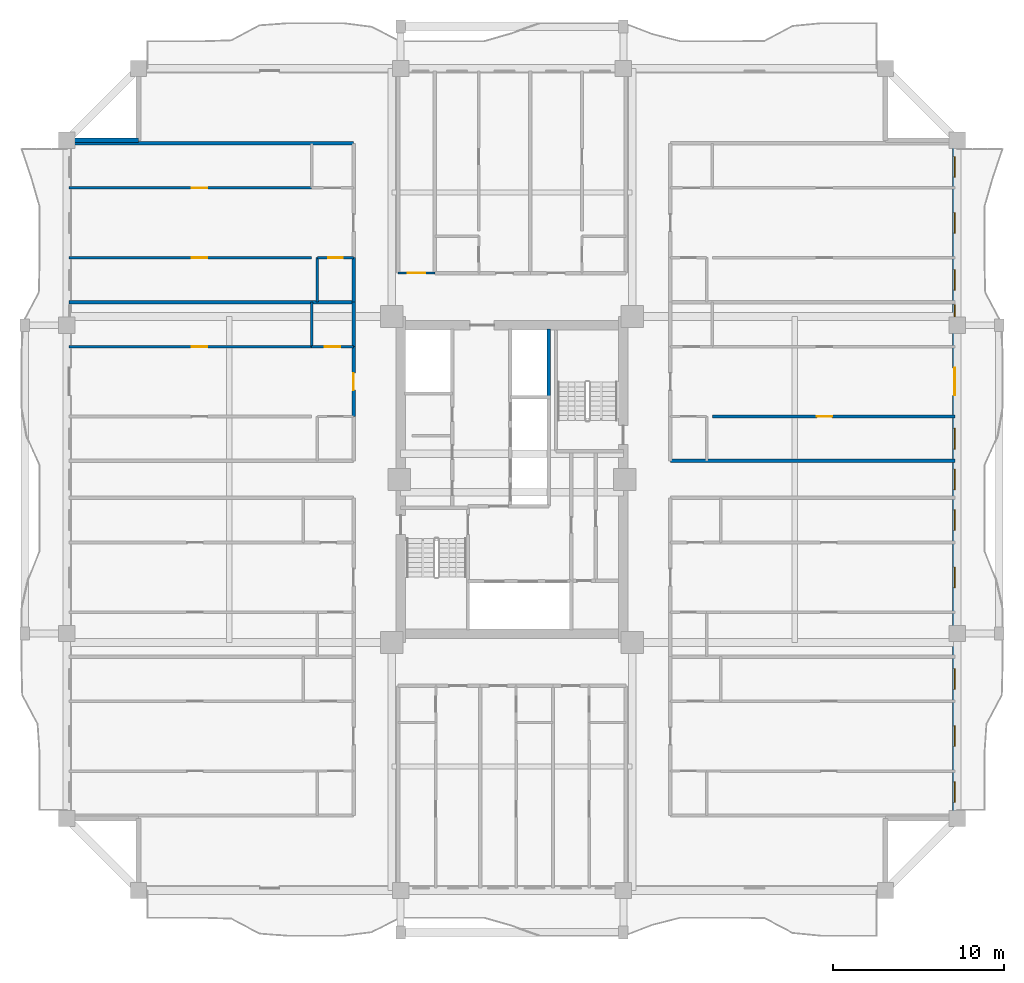
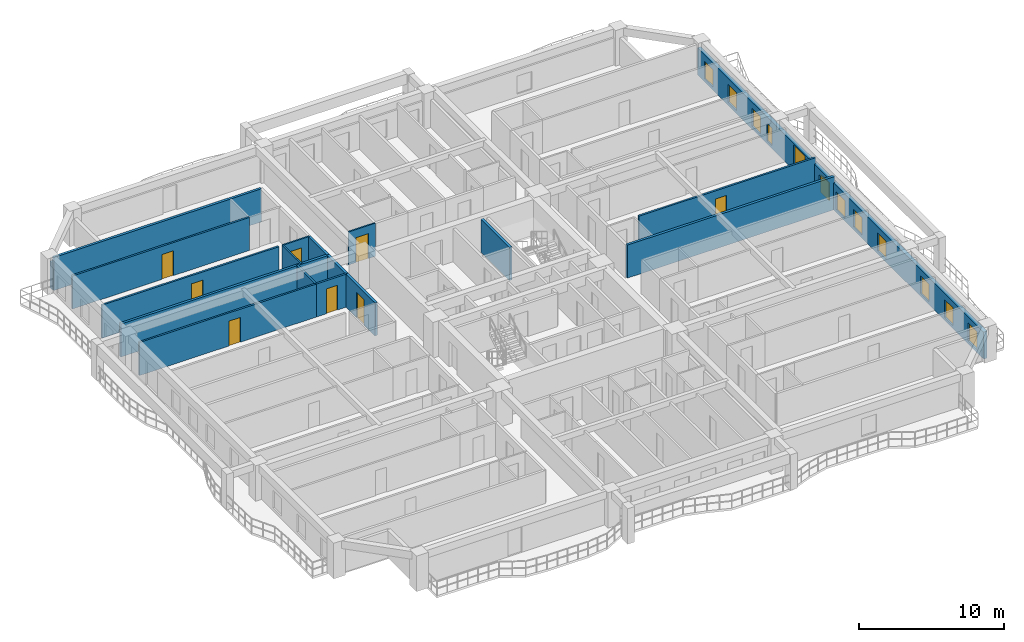
# One storey, part 6 of 13: 18 walls, 11 windows, 9 doors, 20 openings.
"""IFC4 building model written with IfcOpenShell, lengths in metres."""

from ifc_helpers import new_model, si_unit, direction, frame, frame_2d, origin, place, context, subcontext, project, spatial, rectangle, extrude, source, transform, mapped, material, layer, layer_set, type_object, element, fill, save


model = new_model("IFC4")

# Units and contexts
model_context = context("Model", 3, precision=1e-05, world=origin(), true_north=direction((0.0, 1.0)))
body_context = subcontext(model_context, "Body", "Model", "MODEL_VIEW")
ifc_project = project(units=[si_unit("LENGTHUNIT", "METRE"), si_unit("AREAUNIT", "SQUARE_METRE"), si_unit("VOLUMEUNIT", "CUBIC_METRE"), si_unit("PLANEANGLEUNIT", "RADIAN"), si_unit("MASSUNIT", "GRAM", prefix="KILO")], contexts=[model_context])

# Site, building, storey
site_placement = place(None, origin())
site = spatial("IfcSite", under=ifc_project, at=site_placement, CompositionType="ELEMENT")
building_placement = place(site_placement, origin())
building = spatial("IfcBuilding", under=site, at=building_placement, Name="Saelheon Loggia Tower", CompositionType="ELEMENT")
storey_placement = place(building_placement, frame((0.0, 0.0, 104.85009765625)))
storey = spatial("IfcBuildingStorey", under=building, at=storey_placement, Name="L33", CompositionType="ELEMENT", Elevation=104.85009765625)

# Wall, openings, windows, door
ifc_material_1 = material(Name="Architectural Precast Concrete C40/50", Category="concrete")
ifc_layer_1 = layer(ifc_material_1, 0.280029296875)
ifc_layer_set_1 = layer_set([ifc_layer_1], Name="Architectural Precast Concrete C40/50")
wall_type_1 = type_object("IfcWallType", Name="Wall_Ext_Loggia_280", PredefinedType="SOLIDWALL", material=ifc_layer_set_1)
wall_1_placement = place(storey_placement, frame((63.860107421875, 7.199951171875, 0.0), z_axis=(0.0, 0.0, 1.0), x_axis=(0.0, 1.0, 0.0)))
wall_1 = element("IfcWall", 1, at=wall_1_placement, inside=storey, type_object=wall_type_1, Name="L33 East Loggia Inner Wall", PredefinedType="SOLIDWALL", context=body_context, shape_type="SweptSolid", body=[
    extrude(rectangle(XDim=39.60009765625, YDim=0.280029296875, at=frame_2d((19.800048828125, 0.0))), origin(), (0.0, 0.0, 1.0), 2.27978515625),
])
opening_1_placement = place(wall_1_placement, frame((0.9453125, 0.0, 0.25)))
opening_1 = element("IfcOpeningElement", 2, at=opening_1_placement, cuts=wall_1, Name="Opening WN-03", PredefinedType="OPENING", context=body_context, shape_type="SweptSolid", body=[
    extrude(rectangle(XDim=1.199951171875, YDim=1.5, at=frame_2d((0.60009765625, 0.75))), frame((0.0, 0.152099609375, 0.0), z_axis=(0.0, -1.0, 0.0), x_axis=(1.0, 0.0, 0.0)), (0.0, 0.0, 1.0), 0.303955078125),
])
opening_2_placement = place(wall_1_placement, frame((4.212890625, 0.0, 0.25)))
opening_2 = element("IfcOpeningElement", 3, at=opening_2_placement, cuts=wall_1, Name="Opening WN-03", PredefinedType="OPENING", context=body_context, shape_type="SweptSolid", body=[
    extrude(rectangle(XDim=1.199951171875, YDim=1.5, at=frame_2d((0.60009765625, 0.75))), frame((0.0, 0.152099609375, 0.0), z_axis=(0.0, -1.0, 0.0), x_axis=(1.0, 0.0, 0.0)), (0.0, 0.0, 1.0), 0.303955078125),
])
opening_3_placement = place(wall_1_placement, frame((7.550048828125, 0.0, 0.25)))
opening_3 = element("IfcOpeningElement", 4, at=opening_3_placement, cuts=wall_1, Name="Opening WN-03", PredefinedType="OPENING", context=body_context, shape_type="SweptSolid", body=[
    extrude(rectangle(XDim=1.199951171875, YDim=1.5, at=frame_2d((0.60009765625, 0.75))), frame((0.0, 0.152099609375, 0.0), z_axis=(0.0, -1.0, 0.0), x_axis=(1.0, 0.0, 0.0)), (0.0, 0.0, 1.0), 0.303955078125),
])
opening_4_placement = place(wall_1_placement, frame((13.48291015625, 0.0, 0.25)))
opening_4 = element("IfcOpeningElement", 5, at=opening_4_placement, cuts=wall_1, Name="Opening WN-03", PredefinedType="OPENING", context=body_context, shape_type="SweptSolid", body=[
    extrude(rectangle(XDim=1.199951171875, YDim=1.5, at=frame_2d((0.60009765625, 0.75))), frame((0.0, 0.152099609375, 0.0), z_axis=(0.0, -1.0, 0.0), x_axis=(1.0, 0.0, 0.0)), (0.0, 0.0, 1.0), 0.303955078125),
])
opening_5_placement = place(wall_1_placement, frame((16.820068359375, 0.0, 0.25)))
opening_5 = element("IfcOpeningElement", 6, at=opening_5_placement, cuts=wall_1, Name="Opening WN-03", PredefinedType="OPENING", context=body_context, shape_type="SweptSolid", body=[
    extrude(rectangle(XDim=1.199951171875, YDim=1.5, at=frame_2d((0.60009765625, 0.75))), frame((0.0, 0.152099609375, 0.0), z_axis=(0.0, -1.0, 0.0), x_axis=(1.0, 0.0, 0.0)), (0.0, 0.0, 1.0), 0.303955078125),
])
opening_6_placement = place(wall_1_placement, frame((19.199951171875, 0.0, 0.25)))
opening_6 = element("IfcOpeningElement", 7, at=opening_6_placement, cuts=wall_1, Name="Opening WN-03", PredefinedType="OPENING", context=body_context, shape_type="SweptSolid", body=[
    extrude(rectangle(XDim=1.199951171875, YDim=1.5, at=frame_2d((0.60009765625, 0.75))), frame((0.0, 0.152099609375, 0.0), z_axis=(0.0, -1.0, 0.0), x_axis=(1.0, 0.0, 0.0)), (0.0, 0.0, 1.0), 0.303955078125),
])
opening_7_placement = place(wall_1_placement, frame((21.577880859375, 0.0, 0.25)))
opening_7 = element("IfcOpeningElement", 8, at=opening_7_placement, cuts=wall_1, Name="Opening WN-03", PredefinedType="OPENING", context=body_context, shape_type="SweptSolid", body=[
    extrude(rectangle(XDim=1.199951171875, YDim=1.5, at=frame_2d((0.60009765625, 0.75))), frame((0.0, 0.152099609375, 0.0), z_axis=(0.0, -1.0, 0.0), x_axis=(1.0, 0.0, 0.0)), (0.0, 0.0, 1.0), 0.303955078125),
])
opening_8_placement = place(wall_1_placement, frame((26.31298828125, 0.0, 0.0), z_axis=(0.0, 0.0, 1.0), x_axis=(-1.0, 0.0, 0.0)))
opening_8 = element("IfcOpeningElement", 9, at=opening_8_placement, cuts=wall_1, Name="Opening DLG-1", PredefinedType="OPENING", context=body_context, shape_type="SweptSolid", body=[
    extrude(rectangle(XDim=1.60009765625, YDim=2.14990234375, at=frame_2d((0.800048828125, 1.074951171875))), frame((0.0, 0.152099609375, 0.0), z_axis=(0.0, -1.0, 0.0), x_axis=(1.0, 0.0, 0.0)), (0.0, 0.0, 1.0), 0.303955078125),
])
opening_9_placement = place(wall_1_placement, frame((29.304931640625, 0.0, 0.25)))
opening_9 = element("IfcOpeningElement", 10, at=opening_9_placement, cuts=wall_1, Name="Opening WN-06", PredefinedType="OPENING", context=body_context, shape_type="SweptSolid", body=[
    extrude(rectangle(XDim=0.699951171875, YDim=1.5, at=frame_2d((0.35009765625, 0.75))), frame((0.0, 0.152099609375, 0.0), z_axis=(0.0, -1.0, 0.0), x_axis=(1.0, 0.0, 0.0)), (0.0, 0.0, 1.0), 0.303955078125),
])
opening_10_placement = place(wall_1_placement, frame((30.847900390625, 0.0, 0.25)))
opening_10 = element("IfcOpeningElement", 11, at=opening_10_placement, cuts=wall_1, Name="Opening WN-03", PredefinedType="OPENING", context=body_context, shape_type="SweptSolid", body=[
    extrude(rectangle(XDim=1.199951171875, YDim=1.5, at=frame_2d((0.60009765625, 0.75))), frame((0.0, 0.152099609375, 0.0), z_axis=(0.0, -1.0, 0.0), x_axis=(1.0, 0.0, 0.0)), (0.0, 0.0, 1.0), 0.303955078125),
])
opening_11_placement = place(wall_1_placement, frame((34.182861328125, 0.0, 0.25)))
opening_11 = element("IfcOpeningElement", 12, at=opening_11_placement, cuts=wall_1, Name="Opening WN-03", PredefinedType="OPENING", context=body_context, shape_type="SweptSolid", body=[
    extrude(rectangle(XDim=1.199951171875, YDim=1.5, at=frame_2d((0.60009765625, 0.75))), frame((0.0, 0.152099609375, 0.0), z_axis=(0.0, -1.0, 0.0), x_axis=(1.0, 0.0, 0.0)), (0.0, 0.0, 1.0), 0.303955078125),
])
opening_12_placement = place(wall_1_placement, frame((37.452392578125, 0.0, 0.25)))
opening_12 = element("IfcOpeningElement", 13, at=opening_12_placement, cuts=wall_1, Name="Opening WN-03", PredefinedType="OPENING", context=body_context, shape_type="SweptSolid", body=[
    extrude(rectangle(XDim=1.199951171875, YDim=1.5, at=frame_2d((0.60009765625, 0.75))), frame((0.0, 0.152099609375, 0.0), z_axis=(0.0, -1.0, 0.0), x_axis=(1.0, 0.0, 0.0)), (0.0, 0.0, 1.0), 0.303955078125),
])
ifc_material_2 = material(Name="Thermal-Break Aluminium and Triple Low-E Glass", Category="aluminium")
window_type_1 = type_object("IfcWindowType", Name="Win_Slot_700x1500", PartitioningType="SINGLE_PANEL", PredefinedType="WINDOW", material=ifc_material_2)
shared_shape_1 = source(origin(), body_context, "Body", "SweptSolid", [
    extrude(rectangle(XDim=0.699951171875, YDim=1.5, at=frame_2d((0.35009765625, 0.75))), frame((0.0, 0.030029296875, 0.0), z_axis=(0.0, -1.0, 0.0), x_axis=(1.0, 0.0, 0.0)), (0.0, 0.0, 1.0), 0.06005859375),
])
window_1_placement = place(opening_9_placement, origin())
window_1 = element("IfcWindow", 14, at=window_1_placement, inside=storey, type_object=window_type_1, Name="L33 E Dwelling Window 9", OverallHeight=1.5, OverallWidth=0.699951171875, PartitioningType="SINGLE_PANEL", PredefinedType="WINDOW", context=body_context, shape_type="MappedRepresentation", body=[
    mapped(shared_shape_1, transform((0.0, 0.0, 0.0), scale=1.0)),
])
fill(opening_9, window_1)
window_type_2 = type_object("IfcWindowType", Name="Win_Bedroom_1200x1500", PartitioningType="SINGLE_PANEL", PredefinedType="WINDOW", material=ifc_material_2)
shared_shape_2 = source(origin(), body_context, "Body", "SweptSolid", [
    extrude(rectangle(XDim=1.199951171875, YDim=1.5, at=frame_2d((0.60009765625, 0.75))), frame((0.0, 0.030029296875, 0.0), z_axis=(0.0, -1.0, 0.0), x_axis=(1.0, 0.0, 0.0)), (0.0, 0.0, 1.0), 0.06005859375),
])
window_2_placement = place(opening_1_placement, origin())
window_2 = element("IfcWindow", 15, at=window_2_placement, inside=storey, type_object=window_type_2, Name="L33 E Dwelling Window 1", OverallHeight=1.5, OverallWidth=1.199951171875, PartitioningType="SINGLE_PANEL", PredefinedType="WINDOW", context=body_context, shape_type="MappedRepresentation", body=[
    mapped(shared_shape_2, transform((0.0, 0.0, 0.0), scale=1.0)),
])
fill(opening_1, window_2)
window_3_placement = place(opening_2_placement, origin())
window_3 = element("IfcWindow", 16, at=window_3_placement, inside=storey, type_object=window_type_2, Name="L33 E Dwelling Window 2", OverallHeight=1.5, OverallWidth=1.199951171875, PartitioningType="SINGLE_PANEL", PredefinedType="WINDOW", context=body_context, shape_type="MappedRepresentation", body=[
    mapped(shared_shape_2, transform((0.0, 0.0, 0.0), scale=1.0)),
])
fill(opening_2, window_3)
window_4_placement = place(opening_3_placement, origin())
window_4 = element("IfcWindow", 17, at=window_4_placement, inside=storey, type_object=window_type_2, Name="L33 E Dwelling Window 3", OverallHeight=1.5, OverallWidth=1.199951171875, PartitioningType="SINGLE_PANEL", PredefinedType="WINDOW", context=body_context, shape_type="MappedRepresentation", body=[
    mapped(shared_shape_2, transform((0.0, 0.0, 0.0), scale=1.0)),
])
fill(opening_3, window_4)
window_5_placement = place(opening_4_placement, origin())
window_5 = element("IfcWindow", 18, at=window_5_placement, inside=storey, type_object=window_type_2, Name="L33 E Dwelling Window 4", OverallHeight=1.5, OverallWidth=1.199951171875, PartitioningType="SINGLE_PANEL", PredefinedType="WINDOW", context=body_context, shape_type="MappedRepresentation", body=[
    mapped(shared_shape_2, transform((0.0, 0.0, 0.0), scale=1.0)),
])
fill(opening_4, window_5)
window_6_placement = place(opening_5_placement, origin())
window_6 = element("IfcWindow", 19, at=window_6_placement, inside=storey, type_object=window_type_2, Name="L33 E Dwelling Window 5", OverallHeight=1.5, OverallWidth=1.199951171875, PartitioningType="SINGLE_PANEL", PredefinedType="WINDOW", context=body_context, shape_type="MappedRepresentation", body=[
    mapped(shared_shape_2, transform((0.0, 0.0, 0.0), scale=1.0)),
])
fill(opening_5, window_6)
window_7_placement = place(opening_6_placement, origin())
window_7 = element("IfcWindow", 20, at=window_7_placement, inside=storey, type_object=window_type_2, Name="L33 E Dwelling Window 6", OverallHeight=1.5, OverallWidth=1.199951171875, PartitioningType="SINGLE_PANEL", PredefinedType="WINDOW", context=body_context, shape_type="MappedRepresentation", body=[
    mapped(shared_shape_2, transform((0.0, 0.0, 0.0), scale=1.0)),
])
fill(opening_6, window_7)
window_8_placement = place(opening_7_placement, origin())
window_8 = element("IfcWindow", 21, at=window_8_placement, inside=storey, type_object=window_type_2, Name="L33 E Dwelling Window 7", OverallHeight=1.5, OverallWidth=1.199951171875, PartitioningType="SINGLE_PANEL", PredefinedType="WINDOW", context=body_context, shape_type="MappedRepresentation", body=[
    mapped(shared_shape_2, transform((0.0, 0.0, 0.0), scale=1.0)),
])
fill(opening_7, window_8)
window_9_placement = place(opening_10_placement, origin())
window_9 = element("IfcWindow", 22, at=window_9_placement, inside=storey, type_object=window_type_2, Name="L33 E Dwelling Window 10", OverallHeight=1.5, OverallWidth=1.199951171875, PartitioningType="SINGLE_PANEL", PredefinedType="WINDOW", context=body_context, shape_type="MappedRepresentation", body=[
    mapped(shared_shape_2, transform((0.0, 0.0, 0.0), scale=1.0)),
])
fill(opening_10, window_9)
window_10_placement = place(opening_11_placement, origin())
window_10 = element("IfcWindow", 23, at=window_10_placement, inside=storey, type_object=window_type_2, Name="L33 E Dwelling Window 11", OverallHeight=1.5, OverallWidth=1.199951171875, PartitioningType="SINGLE_PANEL", PredefinedType="WINDOW", context=body_context, shape_type="MappedRepresentation", body=[
    mapped(shared_shape_2, transform((0.0, 0.0, 0.0), scale=1.0)),
])
fill(opening_11, window_10)
window_11_placement = place(opening_12_placement, origin())
window_11 = element("IfcWindow", 24, at=window_11_placement, inside=storey, type_object=window_type_2, Name="L33 E Dwelling Window 12", OverallHeight=1.5, OverallWidth=1.199951171875, PartitioningType="SINGLE_PANEL", PredefinedType="WINDOW", context=body_context, shape_type="MappedRepresentation", body=[
    mapped(shared_shape_2, transform((0.0, 0.0, 0.0), scale=1.0)),
])
fill(opening_12, window_11)
ifc_material_3 = material(Name="Thermal-Break Aluminium Sliding Glazed Door", Category="aluminium")
door_type_1 = type_object("IfcDoorType", Name="Door_LoggiaSlide_1600", OperationType="SLIDING_TO_LEFT", PredefinedType="DOOR", material=ifc_material_3)
shared_shape_3 = source(origin(), body_context, "Body", "SweptSolid", [
    extrude(rectangle(XDim=1.60009765625, YDim=2.14990234375, at=frame_2d((0.800048828125, 1.074951171875))), frame((0.0, 0.02490234375, 0.0), z_axis=(0.0, -1.0, 0.0), x_axis=(1.0, 0.0, 0.0)), (0.0, 0.0, 1.0), 0.050048828125),
])
door_1_placement = place(opening_8_placement, origin())
door_1 = element("IfcDoor", 25, at=door_1_placement, inside=storey, type_object=door_type_1, Name="L33 E Loggia Access Door", OperationType="SLIDING_TO_LEFT", OverallHeight=2.14990234375, OverallWidth=1.60009765625, PredefinedType="DOOR", context=body_context, shape_type="MappedRepresentation", body=[
    mapped(shared_shape_3, transform((0.0, 0.0, 0.0), scale=1.0)),
])
fill(opening_8, door_1)

# Walls
wall_2_placement = place(storey_placement, frame((12.080078125, 46.800048828125, 0.0), z_axis=(0.0, 0.0, 1.0), x_axis=(1.0, 0.0, 0.0)))
element("IfcWall", 26, at=wall_2_placement, inside=storey, type_object=wall_type_1, Name="L33 Corner Notch Precast Wall NW2", PredefinedType="SOLIDWALL", context=body_context, shape_type="SweptSolid", body=[
    extrude(rectangle(XDim=4.119873046875, YDim=0.280029296875, at=frame_2d((2.06005859375, 0.0))), origin(), (0.0, 0.0, 1.0), 2.27978515625),
])
ifc_material_4 = material(Name="Lightweight Autoclaved Aerated Concrete Block and Acoustic Gypsum", Category="concrete")
ifc_layer_2 = layer(ifc_material_4, 0.14990234375)
ifc_layer_set_2 = layer_set([ifc_layer_2], Name="Lightweight Autoclaved Aerated Concrete Block and Acoustic Gypsum")
wall_type_2 = type_object("IfcWallType", Name="Wall_Part_150", PredefinedType="PARTITIONING", material=ifc_layer_set_2)
wall_3_placement = place(storey_placement, frame((26.300048828125, 34.75, 0.0), z_axis=(0.0, 0.0, 1.0), x_axis=(0.0, 1.0, 0.0)))
element("IfcWall", 27, at=wall_3_placement, inside=storey, type_object=wall_type_2, Name="L33 WN Partition V07", PredefinedType="PARTITIONING", context=body_context, shape_type="SweptSolid", body=[
    extrude(rectangle(XDim=2.60009765625, YDim=0.14990234375, at=frame_2d((1.300048828125, 0.0))), origin(), (0.0, 0.0, 1.0), 2.789794921875),
])

# Wall, opening, door
wall_4_placement = place(storey_placement, frame((28.75, 34.75, 0.0), z_axis=(0.0, 0.0, 1.0), x_axis=(-1.0, 0.0, 0.0)))
wall_4 = element("IfcWall", 28, at=wall_4_placement, inside=storey, type_object=wall_type_2, Name="L33 WN Partition U10", PredefinedType="PARTITIONING", context=body_context, shape_type="SweptSolid", body=[
    extrude(rectangle(XDim=2.449951171875, YDim=0.14990234375, at=frame_2d((1.22509765625, 0.0))), origin(), (0.0, 0.0, 1.0), 2.789794921875),
])
opening_13_placement = place(wall_4_placement, frame((0.77490234375, 0.0, 0.0)))
opening_13 = element("IfcOpeningElement", 29, at=opening_13_placement, cuts=wall_4, Name="Opening D-IN2", PredefinedType="OPENING", context=body_context, shape_type="SweptSolid", body=[
    extrude(rectangle(XDim=0.89990234375, YDim=2.10009765625, at=frame_2d((0.449951171875, 1.050048828125))), frame((0.0, 0.0869140625, 0.0), z_axis=(0.0, -1.0, 0.0), x_axis=(1.0, 0.0, 0.0)), (0.0, 0.0, 1.0), 0.173828125),
])
ifc_material_5 = material(Name="Engineered Oak Flush Door", Category="timber")
door_type_2 = type_object("IfcDoorType", Name="Door_Int_900", OperationType="NOTDEFINED", PredefinedType="DOOR", material=ifc_material_5)
shared_shape_4 = source(origin(), body_context, "Body", "SweptSolid", [
    extrude(rectangle(XDim=0.89990234375, YDim=2.10009765625, at=frame_2d((0.449951171875, 1.050048828125))), frame((0.0, 0.02490234375, 0.0), z_axis=(0.0, -1.0, 0.0), x_axis=(1.0, 0.0, 0.0)), (0.0, 0.0, 1.0), 0.050048828125),
])
door_2_placement = place(opening_13_placement, origin())
door_2 = element("IfcDoor", 30, at=door_2_placement, inside=storey, type_object=door_type_2, Name="Unit U08 Dressing Closet Door", OperationType="SINGLE_SWING_LEFT", OverallHeight=2.10009765625, OverallWidth=0.89990234375, PredefinedType="DOOR", context=body_context, shape_type="MappedRepresentation", body=[
    mapped(shared_shape_4, transform((0.0, 0.0, 0.0), scale=1.0)),
])
fill(opening_13, door_2)

wall_5_placement = place(storey_placement, frame((26.300048828125, 34.75, 0.0), z_axis=(0.0, 0.0, 1.0), x_axis=(-1.0, 0.0, 0.0)))
wall_5 = element("IfcWall", 31, at=wall_5_placement, inside=storey, type_object=wall_type_2, Name="L33 WN Partition U11", PredefinedType="PARTITIONING", context=body_context, shape_type="SweptSolid", body=[
    extrude(rectangle(XDim=14.150146484375, YDim=0.14990234375, at=frame_2d((7.0751953125, 0.0))), origin(), (0.0, 0.0, 1.0), 2.789794921875),
])
opening_14_placement = place(wall_5_placement, frame((6.093017578125, 0.0, 0.0)))
opening_14 = element("IfcOpeningElement", 32, at=opening_14_placement, cuts=wall_5, Name="Opening D-IN2", PredefinedType="OPENING", context=body_context, shape_type="SweptSolid", body=[
    extrude(rectangle(XDim=0.89990234375, YDim=2.10009765625, at=frame_2d((0.449951171875, 1.050048828125))), frame((0.0, 0.0869140625, 0.0), z_axis=(0.0, -1.0, 0.0), x_axis=(1.0, 0.0, 0.0)), (0.0, 0.0, 1.0), 0.173828125),
])
door_3_placement = place(opening_14_placement, origin())
door_3 = element("IfcDoor", 33, at=door_3_placement, inside=storey, type_object=door_type_2, Name="Unit U08 Bedroom 1 Door", OperationType="SINGLE_SWING_RIGHT", OverallHeight=2.10009765625, OverallWidth=0.89990234375, PredefinedType="DOOR", context=body_context, shape_type="MappedRepresentation", body=[
    mapped(shared_shape_4, transform((0.0, 0.0, 0.0), scale=1.0)),
])
fill(opening_14, door_3)

wall_6_placement = place(storey_placement, frame((26.300048828125, 39.945556640625, 0.0), z_axis=(0.0, 0.0, 1.0), x_axis=(-1.0, 0.0, 0.0)))
wall_6 = element("IfcWall", 34, at=wall_6_placement, inside=storey, type_object=wall_type_2, Name="L33 WN Partition U19", PredefinedType="PARTITIONING", context=body_context, shape_type="SweptSolid", body=[
    extrude(rectangle(XDim=14.150146484375, YDim=0.14990234375, at=frame_2d((7.0751953125, 0.0))), origin(), (0.0, 0.0, 1.0), 2.789794921875),
])
opening_15_placement = place(wall_6_placement, frame((6.093017578125, 0.0, 0.0)))
opening_15 = element("IfcOpeningElement", 35, at=opening_15_placement, cuts=wall_6, Name="Opening D-IN2", PredefinedType="OPENING", context=body_context, shape_type="SweptSolid", body=[
    extrude(rectangle(XDim=0.89990234375, YDim=2.10009765625, at=frame_2d((0.449951171875, 1.050048828125))), frame((0.0, 0.0869140625, 0.0), z_axis=(0.0, -1.0, 0.0), x_axis=(1.0, 0.0, 0.0)), (0.0, 0.0, 1.0), 0.173828125),
])
door_4_placement = place(opening_15_placement, origin())
door_4 = element("IfcDoor", 36, at=door_4_placement, inside=storey, type_object=door_type_2, Name="Unit U09 Kitchen Door", OperationType="SINGLE_SWING_LEFT", OverallHeight=2.10009765625, OverallWidth=0.89990234375, PredefinedType="DOOR", context=body_context, shape_type="MappedRepresentation", body=[
    mapped(shared_shape_4, transform((0.0, 0.0, 0.0), scale=1.0)),
])
fill(opening_15, door_4)

wall_7_placement = place(storey_placement, frame((26.300048828125, 44.02001953125, 0.0), z_axis=(0.0, 0.0, 1.0), x_axis=(-1.0, 0.0, 0.0)))
wall_7 = element("IfcWall", 37, at=wall_7_placement, inside=storey, type_object=wall_type_2, Name="L33 WN Partition U21", PredefinedType="PARTITIONING", context=body_context, shape_type="SweptSolid", body=[
    extrude(rectangle(XDim=14.150146484375, YDim=0.14990234375, at=frame_2d((7.0751953125, 0.0))), origin(), (0.0, 0.0, 1.0), 2.789794921875),
])
opening_16_placement = place(wall_7_placement, frame((6.093017578125, 0.0, 0.0)))
opening_16 = element("IfcOpeningElement", 38, at=opening_16_placement, cuts=wall_7, Name="Opening D-IN2", PredefinedType="OPENING", context=body_context, shape_type="SweptSolid", body=[
    extrude(rectangle(XDim=0.89990234375, YDim=2.10009765625, at=frame_2d((0.449951171875, 1.050048828125))), frame((0.0, 0.0869140625, 0.0), z_axis=(0.0, -1.0, 0.0), x_axis=(1.0, 0.0, 0.0)), (0.0, 0.0, 1.0), 0.173828125),
])
door_5_placement = place(opening_16_placement, origin())
door_5 = element("IfcDoor", 39, at=door_5_placement, inside=storey, type_object=door_type_2, Name="Unit U09 Bedroom 1 Door", OperationType="SINGLE_SWING_LEFT", OverallHeight=2.10009765625, OverallWidth=0.89990234375, PredefinedType="DOOR", context=body_context, shape_type="MappedRepresentation", body=[
    mapped(shared_shape_4, transform((0.0, 0.0, 0.0), scale=1.0)),
])
fill(opening_16, door_5)

wall_8_placement = place(storey_placement, frame((49.699951171875, 30.675537109375, 0.0), z_axis=(0.0, 0.0, 1.0), x_axis=(1.0, 0.0, 0.0)))
wall_8 = element("IfcWall", 40, at=wall_8_placement, inside=storey, type_object=wall_type_2, Name="L33 EN Partition U09", PredefinedType="PARTITIONING", context=body_context, shape_type="SweptSolid", body=[
    extrude(rectangle(XDim=14.150146484375, YDim=0.14990234375, at=frame_2d((7.0751953125, 0.0))), origin(), (0.0, 0.0, 1.0), 2.789794921875),
])
opening_17_placement = place(wall_8_placement, frame((6.093017578125, 0.0, 0.0)))
opening_17 = element("IfcOpeningElement", 41, at=opening_17_placement, cuts=wall_8, Name="Opening D-IN2", PredefinedType="OPENING", context=body_context, shape_type="SweptSolid", body=[
    extrude(rectangle(XDim=0.89990234375, YDim=2.10009765625, at=frame_2d((0.449951171875, 1.050048828125))), frame((0.0, 0.0869140625, 0.0), z_axis=(0.0, -1.0, 0.0), x_axis=(1.0, 0.0, 0.0)), (0.0, 0.0, 1.0), 0.173828125),
])
door_6_placement = place(opening_17_placement, origin())
door_6 = element("IfcDoor", 42, at=door_6_placement, inside=storey, type_object=door_type_2, Name="Unit U12 Kitchen Door", OperationType="SINGLE_SWING_RIGHT", OverallHeight=2.10009765625, OverallWidth=0.89990234375, PredefinedType="DOOR", context=body_context, shape_type="MappedRepresentation", body=[
    mapped(shared_shape_4, transform((0.0, 0.0, 0.0), scale=1.0)),
])
fill(opening_17, door_6)

# Wall
ifc_material_6 = material(Name="Double Acoustic Stud and Fireboard Partition", Category="gypsum")
ifc_layer_3 = layer(ifc_material_6, 0.199951171875)
ifc_layer_set_3 = layer_set([ifc_layer_3], Name="Double Acoustic Stud and Fireboard Partition")
wall_type_3 = type_object("IfcWallType", Name="Wall_Party_200", PredefinedType="PARTITIONING", material=ifc_layer_set_3)
wall_9_placement = place(storey_placement, frame((28.75, 46.6201171875, 0.0), z_axis=(0.0, 0.0, 1.0), x_axis=(-1.0, 0.0, 0.0)))
element("IfcWall", 43, at=wall_9_placement, inside=storey, type_object=wall_type_3, Name="L33 WN Partition U02", PredefinedType="PARTITIONING", context=body_context, shape_type="SweptSolid", body=[
    extrude(rectangle(XDim=16.60009765625, YDim=0.199951171875, at=frame_2d((8.300048828125, 0.0))), origin(), (0.0, 0.0, 1.0), 2.789794921875),
])

# Wall, opening, door
wall_10_placement = place(storey_placement, frame((28.75, 30.675537109375, 0.0), z_axis=(0.0, 0.0, 1.0), x_axis=(0.0, 1.0, 0.0)))
wall_10 = element("IfcWall", 44, at=wall_10_placement, inside=storey, type_object=wall_type_3, Name="L33 WN Partition V04", PredefinedType="PARTITIONING", context=body_context, shape_type="SweptSolid", body=[
    extrude(rectangle(XDim=4.074462890625, YDim=0.199951171875, at=frame_2d((2.037109375, 0.0))), origin(), (0.0, 0.0, 1.0), 2.789794921875),
])
opening_18_placement = place(wall_10_placement, frame((1.537109375, 0.0, 0.0)))
opening_18 = element("IfcOpeningElement", 45, at=opening_18_placement, cuts=wall_10, Name="Opening D-FD1", PredefinedType="OPENING", context=body_context, shape_type="SweptSolid", body=[
    extrude(rectangle(XDim=1.0, YDim=2.14990234375, at=frame_2d((0.5, 1.074951171875))), frame((0.0, 0.112060546875, 0.0), z_axis=(0.0, -1.0, 0.0), x_axis=(1.0, 0.0, 0.0)), (0.0, 0.0, 1.0), 0.223876953125),
])
ifc_material_7 = material(Name="Fire-Rated Engineered Timber Entrance Door", Category="wood")
door_type_3 = type_object("IfcDoorType", Name="Door_Flat_FD30S", OperationType="NOTDEFINED", PredefinedType="DOOR", material=ifc_material_7)
shared_shape_5 = source(origin(), body_context, "Body", "SweptSolid", [
    extrude(rectangle(XDim=1.0, YDim=2.14990234375, at=frame_2d((0.5, 1.074951171875))), frame((0.0, 0.02490234375, 0.0), z_axis=(0.0, -1.0, 0.0), x_axis=(1.0, 0.0, 0.0)), (0.0, 0.0, 1.0), 0.050048828125),
])
door_7_placement = place(opening_18_placement, origin())
door_7 = element("IfcDoor", 46, at=door_7_placement, inside=storey, type_object=door_type_3, Name="Unit U08 Entrance Door", OperationType="SINGLE_SWING_RIGHT", OverallHeight=2.14990234375, OverallWidth=1.0, PredefinedType="DOOR", context=body_context, shape_type="MappedRepresentation", body=[
    mapped(shared_shape_5, transform((0.0, 0.0, 0.0), scale=1.0)),
])
fill(opening_18, door_7)

# Walls
wall_11_placement = place(storey_placement, frame((28.75, 34.75, 0.0), z_axis=(0.0, 0.0, 1.0), x_axis=(0.0, 1.0, 0.0)))
element("IfcWall", 47, at=wall_11_placement, inside=storey, type_object=wall_type_3, Name="L33 WN Partition V05", PredefinedType="PARTITIONING", context=body_context, shape_type="SweptSolid", body=[
    extrude(rectangle(XDim=2.60009765625, YDim=0.199951171875, at=frame_2d((1.300048828125, 0.0))), origin(), (0.0, 0.0, 1.0), 2.789794921875),
])
wall_12_placement = place(storey_placement, frame((28.75, 37.35009765625, 0.0), z_axis=(0.0, 0.0, 1.0), x_axis=(-1.0, 0.0, 0.0)))
element("IfcWall", 48, at=wall_12_placement, inside=storey, type_object=wall_type_3, Name="L33 WN Partition U12", PredefinedType="PARTITIONING", context=body_context, shape_type="SweptSolid", body=[
    extrude(rectangle(XDim=16.60009765625, YDim=0.199951171875, at=frame_2d((8.300048828125, 0.0))), origin(), (0.0, 0.0, 1.0), 2.789794921875),
])
wall_13_placement = place(storey_placement, frame((28.75, 37.35009765625, 0.0), z_axis=(0.0, 0.0, 1.0), x_axis=(0.0, 1.0, 0.0)))
element("IfcWall", 49, at=wall_13_placement, inside=storey, type_object=wall_type_3, Name="L33 WN Partition V13", PredefinedType="PARTITIONING", context=body_context, shape_type="SweptSolid", body=[
    extrude(rectangle(XDim=2.595458984375, YDim=0.199951171875, at=frame_2d((1.2978515625, 0.0))), origin(), (0.0, 0.0, 1.0), 2.789794921875),
])
wall_14_placement = place(storey_placement, frame((47.25, 28.080078125, 0.0), z_axis=(0.0, 0.0, 1.0), x_axis=(1.0, 0.0, 0.0)))
element("IfcWall", 50, at=wall_14_placement, inside=storey, type_object=wall_type_3, Name="L33 EN Partition U01", PredefinedType="PARTITIONING", context=body_context, shape_type="SweptSolid", body=[
    extrude(rectangle(XDim=16.60009765625, YDim=0.199951171875, at=frame_2d((8.300048828125, 0.0))), origin(), (0.0, 0.0, 1.0), 2.789794921875),
])
ifc_material_8 = material(Name="Concrete C40/50", Category="concrete")
ifc_layer_4 = layer(ifc_material_8, 0.199951171875)
ifc_layer_set_4 = layer_set([ifc_layer_4], Name="Concrete C40/50")
wall_type_4 = type_object("IfcWallType", Name="Wall_Shaft_200", PredefinedType="PARTITIONING", material=ifc_layer_set_4)
wall_15_placement = place(storey_placement, frame((40.14990234375, 31.800048828125, 0.0), z_axis=(0.0, 0.0, 1.0), x_axis=(0.0, 1.0, 0.0)))
element("IfcWall", 51, at=wall_15_placement, inside=storey, type_object=wall_type_4, Name="L33 East High-Rise Hoistway East Wall", PredefinedType="PARTITIONING", context=body_context, shape_type="SweptSolid", body=[
    extrude(rectangle(XDim=3.97998046875, YDim=0.199951171875, at=frame_2d((1.989990234375, 0.0))), origin(), (0.0, 0.0, 1.0), 2.789794921875),
])

# Wall, opening, door
ifc_material_9 = material(Name="Moisture-Resistant Cement Board Partition", Category="gypsum")
ifc_layer_5 = layer(ifc_material_9, 0.1201171875)
ifc_layer_set_5 = layer_set([ifc_layer_5], Name="Moisture-Resistant Cement Board Partition")
wall_type_5 = type_object("IfcWallType", Name="Wall_WetPart_120", PredefinedType="PARTITIONING", material=ifc_layer_set_5)
wall_16_placement = place(storey_placement, frame((31.35009765625, 39.050048828125, 0.0), z_axis=(0.0, 0.0, 1.0), x_axis=(1.0, 0.0, 0.0)))
wall_16 = element("IfcWall", 52, at=wall_16_placement, inside=storey, type_object=wall_type_5, Name="L33 N Partition V04", PredefinedType="PARTITIONING", context=body_context, shape_type="SweptSolid", body=[
    extrude(rectangle(XDim=2.14990234375, YDim=0.1201171875, at=frame_2d((1.074951171875, 0.0))), origin(), (0.0, 0.0, 1.0), 2.789794921875),
])
opening_19_placement = place(wall_16_placement, frame((0.574951171875, 0.0, 0.0)))
opening_19 = element("IfcOpeningElement", 53, at=opening_19_placement, cuts=wall_16, Name="Opening D-AC1", PredefinedType="OPENING", context=body_context, shape_type="SweptSolid", body=[
    extrude(rectangle(XDim=1.0, YDim=2.10009765625, at=frame_2d((0.5, 1.050048828125))), frame((0.0, 0.072021484375, 0.0), z_axis=(0.0, -1.0, 0.0), x_axis=(1.0, 0.0, 0.0)), (0.0, 0.0, 1.0), 0.14404296875),
])
ifc_material_10 = material(Name="Accessible Laminate Flush Door", Category="timber")
door_type_4 = type_object("IfcDoorType", Name="Door_Acc_1000", OperationType="NOTDEFINED", PredefinedType="DOOR", material=ifc_material_10)
shared_shape_6 = source(origin(), body_context, "Body", "SweptSolid", [
    extrude(rectangle(XDim=1.0, YDim=2.10009765625, at=frame_2d((0.5, 1.050048828125))), frame((0.0, 0.02490234375, 0.0), z_axis=(0.0, -1.0, 0.0), x_axis=(1.0, 0.0, 0.0)), (0.0, 0.0, 1.0), 0.050048828125),
])
door_8_placement = place(opening_19_placement, origin())
door_8 = element("IfcDoor", 54, at=door_8_placement, inside=storey, type_object=door_type_4, Name="L33 Floor Accessible WC Door", OperationType="SINGLE_SWING_LEFT", OverallHeight=2.10009765625, OverallWidth=1.0, PredefinedType="DOOR", context=body_context, shape_type="MappedRepresentation", body=[
    mapped(shared_shape_6, transform((0.0, 0.0, 0.0), scale=1.0)),
])
fill(opening_19, door_8)

# Wall
wall_17_placement = place(storey_placement, frame((26.6298828125, 37.35009765625, 0.0), z_axis=(0.0, 0.0, 1.0), x_axis=(0.0, 1.0, 0.0)))
element("IfcWall", 55, at=wall_17_placement, inside=storey, type_object=wall_type_5, Name="L33 WN Partition V16", PredefinedType="PARTITIONING", context=body_context, shape_type="SweptSolid", body=[
    extrude(rectangle(XDim=2.595458984375, YDim=0.1201171875, at=frame_2d((1.2978515625, 0.0))), origin(), (0.0, 0.0, 1.0), 2.789794921875),
])

# Wall, opening, door
wall_18_placement = place(storey_placement, frame((28.75, 39.945556640625, 0.0), z_axis=(0.0, 0.0, 1.0), x_axis=(-1.0, 0.0, 0.0)))
wall_18 = element("IfcWall", 56, at=wall_18_placement, inside=storey, type_object=wall_type_5, Name="L33 WN Partition U18", PredefinedType="PARTITIONING", context=body_context, shape_type="SweptSolid", body=[
    extrude(rectangle(XDim=2.1201171875, YDim=0.1201171875, at=frame_2d((1.06005859375, 0.0))), origin(), (0.0, 0.0, 1.0), 2.789794921875),
])
opening_20_placement = place(wall_18_placement, frame((0.635009765625, 0.0, 0.0)))
opening_20 = element("IfcOpeningElement", 57, at=opening_20_placement, cuts=wall_18, Name="Opening D-BT1", PredefinedType="OPENING", context=body_context, shape_type="SweptSolid", body=[
    extrude(rectangle(XDim=0.85009765625, YDim=2.050048828125, at=frame_2d((0.425048828125, 1.02490234375))), frame((0.0, 0.072021484375, 0.0), z_axis=(0.0, -1.0, 0.0), x_axis=(1.0, 0.0, 0.0)), (0.0, 0.0, 1.0), 0.14404296875),
])
ifc_material_11 = material(Name="Moisture-Resistant Laminate Timber Door", Category="wood")
door_type_5 = type_object("IfcDoorType", Name="Door_Bath_850", OperationType="NOTDEFINED", PredefinedType="DOOR", material=ifc_material_11)
shared_shape_7 = source(origin(), body_context, "Body", "SweptSolid", [
    extrude(rectangle(XDim=0.85009765625, YDim=2.050048828125, at=frame_2d((0.425048828125, 1.02490234375))), frame((0.0, 0.02490234375, 0.0), z_axis=(0.0, -1.0, 0.0), x_axis=(1.0, 0.0, 0.0)), (0.0, 0.0, 1.0), 0.050048828125),
])
door_9_placement = place(opening_20_placement, origin())
door_9 = element("IfcDoor", 58, at=door_9_placement, inside=storey, type_object=door_type_5, Name="Unit U09 Bathroom Door", OperationType="SINGLE_SWING_RIGHT", OverallHeight=2.050048828125, OverallWidth=0.85009765625, PredefinedType="DOOR", context=body_context, shape_type="MappedRepresentation", body=[
    mapped(shared_shape_7, transform((0.0, 0.0, 0.0), scale=1.0)),
])
fill(opening_20, door_9)

save(model, "model.ifc")
